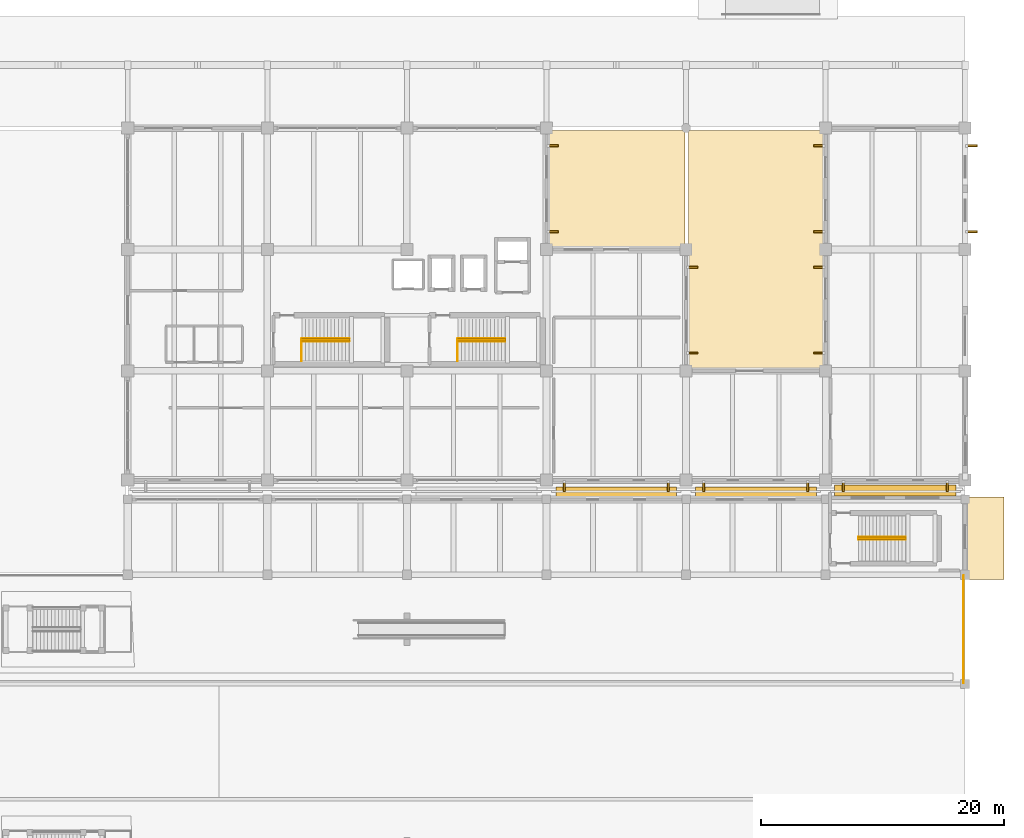
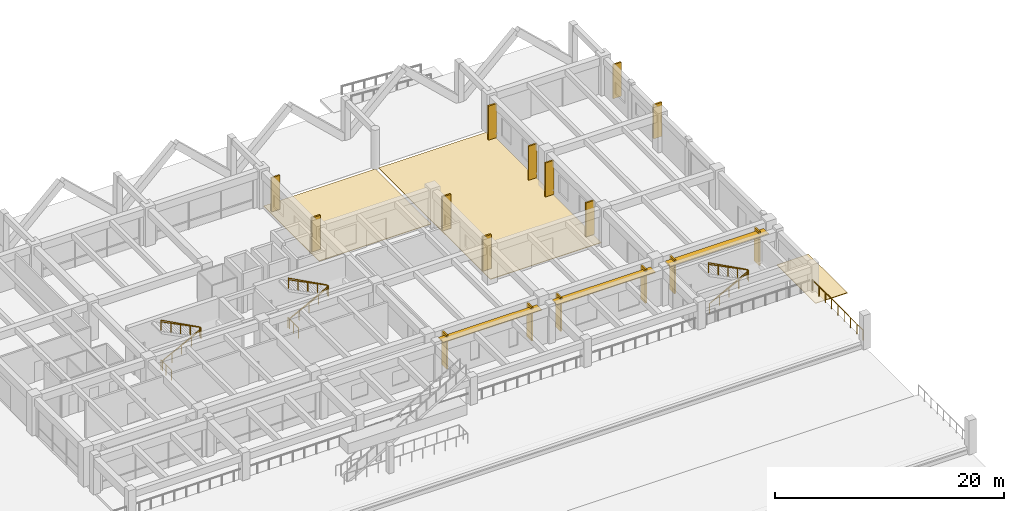
# One storey, part 107 of 109: 19 shading devices, 12 railings, 3 coverings.
"""IFC4 building model written with IfcOpenShell, lengths in metres."""

from ifc_helpers import new_model, si_unit, direction, frame, origin, origin_2d, place, context, subcontext, project, spatial, polyline, rectangle, circle, outline, extrude, material, layer, layer_set, type_object, element, save


model = new_model("IFC4")

# Units and contexts
model_context = context("Model", 3, precision=1e-05, world=origin(), true_north=direction((0.0, 1.0)))
body_context = subcontext(model_context, "Body", "Model", "MODEL_VIEW")
ifc_project = project(units=[si_unit("LENGTHUNIT", "METRE"), si_unit("AREAUNIT", "SQUARE_METRE"), si_unit("VOLUMEUNIT", "CUBIC_METRE"), si_unit("PLANEANGLEUNIT", "RADIAN"), si_unit("MASSUNIT", "GRAM", prefix="KILO")], contexts=[model_context])

# Site, building, storey
site_placement = place(None, origin())
site = spatial("IfcSite", under=ifc_project, at=site_placement, CompositionType="ELEMENT")
building_placement = place(site_placement, origin())
building = spatial("IfcBuilding", under=site, at=building_placement, Name="Ologun Quay Terminus", CompositionType="ELEMENT")
storey_placement = place(building_placement, origin())
storey = spatial("IfcBuildingStorey", under=building, at=storey_placement, Name="L00", CompositionType="ELEMENT", Elevation=0.0)

# Shading devices
ifc_material_1 = material(Name="Aluminium 6063-T6", Category="aluminium")
ifc_layer_1 = layer(ifc_material_1, 0.080078125)
ifc_layer_set_1 = layer_set([ifc_layer_1], Name="Aluminium 6063-T6")
shading_device_type_1 = type_object("IfcShadingDeviceType", Name="Horizontal Extruded Aluminium Sun Louvre 900", PredefinedType="JALOUSIE", material=ifc_layer_set_1)
for number, where, z_axis, x_axis, name in (
    (1, (155.25, 84.780029296875, 3.4599609375), (0.0, 0.0, 1.0), (1.0, 0.0, 0.0), "SD-01 Sun-Hood WEW-NGW-L00-14"),
    (2, (166.75, 84.780029296875, 3.4599609375), (0.0, 0.0, 1.0), (1.0, 0.0, 0.0), "SD-01 Sun-Hood WEW-NGW-L00-15"),
):
    element("IfcShadingDevice", number, at=place(storey_placement, frame(where, z_axis=z_axis, x_axis=x_axis)), inside=storey, type_object=shading_device_type_1, Name=name, PredefinedType="JALOUSIE", context=body_context, shape_type="SweptSolid", body=[
        extrude(rectangle(XDim=9.9599609375, YDim=0.89990234375, at=origin_2d()), origin(), (0.0, 0.0, 1.0), 0.080078125),
    ])
shading_device_placement = place(storey_placement, frame((178.25, 84.929931640625, 3.4599609375), z_axis=(0.0, 0.0, 1.0), x_axis=(1.0, 0.0, 0.0)))
element("IfcShadingDevice", 3, at=shading_device_placement, inside=storey, type_object=shading_device_type_1, Name="SD-01 Sun-Hood WEW-NGW-L00-16", PredefinedType="JALOUSIE", context=body_context, shape_type="SweptSolid", body=[
    extrude(rectangle(XDim=10.0, YDim=0.89990234375, at=origin_2d()), origin(), (0.0, 0.0, 1.0), 0.080078125),
])
ifc_material_2 = material(Name="Concrete C40/50", Category="concrete")
ifc_layer_2 = layer(ifc_material_2, 0.159912109375)
ifc_layer_set_2 = layer_set([ifc_layer_2], Name="Concrete C40/50")
shading_device_type_2 = type_object("IfcShadingDeviceType", Name="Operations Angled Precast Solar Fin 850x160", PredefinedType="USERDEFINED", material=ifc_layer_set_2)
for number, where, z_axis, x_axis, name in (
    (4, (150.969970703125, 85.2451171875, 0.150146484375), (0.0, 0.0, 1.0), (1.0, 0.0, 0.0), "SD-05 Vertical Solar Fin WEW-EW-L00-4-1"),
    (5, (159.530029296875, 85.2451171875, 0.150146484375), (0.0, 0.0, 1.0), (1.0, 0.0, 0.0), "SD-05 Vertical Solar Fin WEW-EW-L00-4-2"),
    (6, (162.469970703125, 85.2451171875, 0.150146484375), (0.0, 0.0, 1.0), (1.0, 0.0, 0.0), "SD-05 Vertical Solar Fin WEW-EW-L00-5-1"),
    (7, (171.030029296875, 85.2451171875, 0.150146484375), (0.0, 0.0, 1.0), (1.0, 0.0, 0.0), "SD-05 Vertical Solar Fin WEW-EW-L00-5-2"),
    (8, (173.969970703125, 85.2451171875, 0.150146484375), (0.0, 0.0, 1.0), (1.0, 0.0, 0.0), "SD-05 Vertical Solar Fin WEW-EW-L00-6-1"),
    (9, (182.530029296875, 85.2451171875, 0.150146484375), (0.0, 0.0, 1.0), (1.0, 0.0, 0.0), "SD-05 Vertical Solar Fin WEW-EW-L00-6-2"),
):
    element("IfcShadingDevice", number, at=place(storey_placement, frame(where, z_axis=z_axis, x_axis=x_axis)), inside=storey, type_object=shading_device_type_2, Name=name, ObjectType="SOLAR FIN", PredefinedType="USERDEFINED", context=body_context, shape_type="SweptSolid", body=[
        extrude(rectangle(XDim=0.159912109375, YDim=0.85009765625, at=origin_2d()), origin(), (0.0, 0.0, 1.0), 3.6298828125),
    ])
for number, where, z_axis, x_axis, name in (
    (10, (184.554931640625, 106.27001953125, 0.150146484375), (0.0, 0.0, 1.0), (1.0, 0.0, 0.0), "SD-05 Vertical Solar Fin WEW-EW-L00-9-1"),
    (11, (184.554931640625, 113.330078125, 0.150146484375), (0.0, 0.0, 1.0), (1.0, 0.0, 0.0), "SD-05 Vertical Solar Fin WEW-EW-L00-9-2"),
    (12, (171.945068359375, 96.27001953125, 0.150146484375), (0.0, 0.0, 1.0), (1.0, 0.0, 0.0), "SD-05 Vertical Solar Fin WEW-EW-L00-11-1"),
    (13, (171.945068359375, 103.330078125, 0.150146484375), (0.0, 0.0, 1.0), (1.0, 0.0, 0.0), "SD-05 Vertical Solar Fin WEW-EW-L00-11-2"),
    (14, (171.945068359375, 106.27001953125, 0.150146484375), (0.0, 0.0, 1.0), (1.0, 0.0, 0.0), "SD-05 Vertical Solar Fin WEW-EW-L00-12-1"),
    (15, (171.945068359375, 113.330078125, 0.150146484375), (0.0, 0.0, 1.0), (1.0, 0.0, 0.0), "SD-05 Vertical Solar Fin WEW-EW-L00-12-2"),
    (16, (161.554931640625, 96.27001953125, 0.150146484375), (0.0, 0.0, 1.0), (1.0, 0.0, 0.0), "SD-05 Vertical Solar Fin WEW-EW-L00-14-1"),
    (17, (161.554931640625, 103.330078125, 0.150146484375), (0.0, 0.0, 1.0), (1.0, 0.0, 0.0), "SD-05 Vertical Solar Fin WEW-EW-L00-14-2"),
    (18, (150.054931640625, 106.27001953125, 0.150146484375), (0.0, 0.0, 1.0), (1.0, 0.0, 0.0), "SD-05 Vertical Solar Fin WEW-EW-L00-16-1"),
    (19, (150.054931640625, 113.330078125, 0.150146484375), (0.0, 0.0, 1.0), (1.0, 0.0, 0.0), "SD-05 Vertical Solar Fin WEW-EW-L00-16-2"),
):
    element("IfcShadingDevice", number, at=place(storey_placement, frame(where, z_axis=z_axis, x_axis=x_axis)), inside=storey, type_object=shading_device_type_2, Name=name, ObjectType="SOLAR FIN", PredefinedType="USERDEFINED", context=body_context, shape_type="SweptSolid", body=[
        extrude(rectangle(XDim=0.85009765625, YDim=0.159912109375, at=origin_2d()), origin(), (0.0, 0.0, 1.0), 3.6298828125),
    ])

# Coverings
ifc_material_3 = material(Name="Granite Stone", Category="masonry")
ifc_layer_3 = layer(ifc_material_3, 0.06005859375)
ifc_layer_set_3 = layer_set([ifc_layer_3], Name="Granite Stone")
covering_type = type_object("IfcCoveringType", Name="Quay & Forecourt Bush-Hammered Granite Paving 60", PredefinedType="USERDEFINED", material=ifc_layer_set_3)
covering_1_placement = place(storey_placement, frame((0.0, 0.0, -0.06005859375)))
element("IfcCovering", 20, at=covering_1_placement, inside=storey, type_object=covering_type, Name="CV-PVG Exterior Granite Paving QUAY-NE", ObjectType="PAVING", PredefinedType="USERDEFINED", context=body_context, shape_type="SweptSolid", body=[
    extrude(outline(polyline([(161.199951171875, 95.0), (172.39990234375, 95.0), (172.39990234375, 114.60009765625), (161.199951171875, 114.60009765625), (161.199951171875, 95.0)])), origin(), (0.0, 0.0, 1.0), 0.06005859375),
])
covering_2_placement = place(storey_placement, frame((0.0, 0.0, -0.06005859375)))
element("IfcCovering", 21, at=covering_2_placement, inside=storey, type_object=covering_type, Name="CV-PVG Exterior Granite Paving QUAY-NELOG", ObjectType="PAVING", PredefinedType="USERDEFINED", context=body_context, shape_type="SweptSolid", body=[
    extrude(outline(polyline([(149.60009765625, 104.89990234375), (160.89990234375, 104.89990234375), (160.89990234375, 114.60009765625), (149.60009765625, 114.60009765625), (149.60009765625, 104.89990234375)])), origin(), (0.0, 0.0, 1.0), 0.06005859375),
])
covering_3_placement = place(storey_placement, frame((0.0, 0.0, -0.06005859375)))
element("IfcCovering", 22, at=covering_3_placement, inside=storey, type_object=covering_type, Name="CV-PVG Exterior Granite Paving EXIT-NGE", ObjectType="PAVING", PredefinedType="USERDEFINED", context=body_context, shape_type="SweptSolid", body=[
    extrude(outline(polyline([(184.0, 77.60009765625), (187.199951171875, 77.60009765625), (187.199951171875, 84.39990234375), (184.0, 84.39990234375), (184.0, 77.60009765625)])), origin(), (0.0, 0.0, 1.0), 0.06005859375),
])

# Railings
ifc_material_4 = material(Name="Steel S355", Category="steel")
railing_type_1 = type_object("IfcRailingType", Name="Stair & Landing Steel Guardrail 1100", PredefinedType="GUARDRAIL", material=ifc_material_4)
railing_1_placement = place(storey_placement, frame((129.31005859375, 97.43994140625, 0.0)))
element("IfcRailing", 23, at=railing_1_placement, inside=storey, type_object=railing_type_1, Name="GR-ST Stair Floor Edge Guard ST-E1 L00", PredefinedType="GUARDRAIL", context=body_context, shape_type="SweptSolid", body=[
    extrude(circle(Radius=0.02392578125, at=origin_2d()), frame((0.0, 0.0, 1.076171875), z_axis=(0.0, -1.0, 0.0), x_axis=(1.0, 0.0, 0.0)), (0.0, 0.0, 1.0), 1.829833984375),
    extrude(circle(Radius=0.02099609375, at=origin_2d()), origin(), (0.0, 0.0, 1.0), 1.052001953125),
    extrude(circle(Radius=0.02099609375, at=origin_2d()), frame((0.0, -0.9150390625, 0.0)), (0.0, 0.0, 1.0), 1.052001953125),
    extrude(circle(Radius=0.02099609375, at=origin_2d()), frame((0.0, -1.829833984375, 0.0)), (0.0, 0.0, 1.0), 1.052001953125),
])
railing_2_placement = place(storey_placement, frame((129.35009765625, 97.25, 0.0)))
element("IfcRailing", 24, at=railing_2_placement, inside=storey, type_object=railing_type_1, Name="GR-ST Stair Inner Well Guard ST-E1 L00", PredefinedType="GUARDRAIL", context=body_context, shape_type="SweptSolid", body=[
    extrude(circle(Radius=0.02392578125, at=origin_2d()), frame((0.0, 0.0, 1.076171875), z_axis=(0.881967403671, 0.0, 0.471310406062), x_axis=(0.0, 1.0, 0.0)), (0.0, 0.0, 1.0), 4.455810546875),
    extrude(circle(Radius=0.02392578125, at=origin_2d()), frame((3.929931640625, 0.0, 3.17626953125), z_axis=(0.0, 1.0, 0.0), x_axis=(-1.0, 0.0, 0.0)), (0.0, 0.0, 1.0), 0.199951171875),
    extrude(circle(Radius=0.02392578125, at=origin_2d()), frame((3.929931640625, 0.199951171875, 3.17626953125), z_axis=(-0.881990178689, 0.0, 0.471267784488), x_axis=(0.0, -1.0, 0.0)), (0.0, 0.0, 1.0), 4.455810546875),
    extrude(circle(Radius=0.02099609375, at=origin_2d()), origin(), (0.0, 0.0, 1.0), 1.052001953125),
    extrude(circle(Radius=0.02099609375, at=origin_2d()), frame((0.982421875, 0.0, 0.52490234375)), (0.0, 0.0, 1.0), 1.052001953125),
    extrude(circle(Radius=0.02099609375, at=origin_2d()), frame((1.96484375, 0.0, 1.050048828125)), (0.0, 0.0, 1.0), 1.052001953125),
    extrude(circle(Radius=0.02099609375, at=origin_2d()), frame((2.947509765625, 0.0, 1.5751953125)), (0.0, 0.0, 1.0), 1.052001953125),
    extrude(circle(Radius=0.02099609375, at=origin_2d()), frame((3.929931640625, 0.0, 2.10009765625)), (0.0, 0.0, 1.0), 1.052001953125),
    extrude(circle(Radius=0.02099609375, at=origin_2d()), frame((3.929931640625, 0.199951171875, 2.10009765625)), (0.0, 0.0, 1.0), 1.052001953125),
    extrude(circle(Radius=0.02099609375, at=origin_2d()), frame((2.947509765625, 0.199951171875, 2.625)), (0.0, 0.0, 1.0), 1.052001953125),
    extrude(circle(Radius=0.02099609375, at=origin_2d()), frame((1.96484375, 0.199951171875, 3.14990234375)), (0.0, 0.0, 1.0), 1.052001953125),
    extrude(circle(Radius=0.02099609375, at=origin_2d()), frame((0.982421875, 0.199951171875, 3.675048828125)), (0.0, 0.0, 1.0), 1.052001953125),
    extrude(circle(Radius=0.02099609375, at=origin_2d()), frame((0.0, 0.199951171875, 4.199951171875)), (0.0, 0.0, 1.0), 1.052001953125),
])
railing_3_placement = place(storey_placement, frame((142.159912109375, 97.43994140625, 0.0)))
element("IfcRailing", 25, at=railing_3_placement, inside=storey, type_object=railing_type_1, Name="GR-ST Stair Floor Edge Guard ST-E2 L00", PredefinedType="GUARDRAIL", context=body_context, shape_type="SweptSolid", body=[
    extrude(circle(Radius=0.02392578125, at=origin_2d()), frame((0.0, 0.0, 1.076171875), z_axis=(0.0, -1.0, 0.0), x_axis=(1.0, 0.0, 0.0)), (0.0, 0.0, 1.0), 1.829833984375),
    extrude(circle(Radius=0.02099609375, at=origin_2d()), origin(), (0.0, 0.0, 1.0), 1.052001953125),
    extrude(circle(Radius=0.02099609375, at=origin_2d()), frame((0.0, -0.9150390625, 0.0)), (0.0, 0.0, 1.0), 1.052001953125),
    extrude(circle(Radius=0.02099609375, at=origin_2d()), frame((0.0, -1.829833984375, 0.0)), (0.0, 0.0, 1.0), 1.052001953125),
])
railing_4_placement = place(storey_placement, frame((142.199951171875, 97.25, 0.0)))
element("IfcRailing", 26, at=railing_4_placement, inside=storey, type_object=railing_type_1, Name="GR-ST Stair Inner Well Guard ST-E2 L00", PredefinedType="GUARDRAIL", context=body_context, shape_type="SweptSolid", body=[
    extrude(circle(Radius=0.02392578125, at=origin_2d()), frame((0.0, 0.0, 1.076171875), z_axis=(0.881967403671, 0.0, 0.471310406062), x_axis=(0.0, 1.0, 0.0)), (0.0, 0.0, 1.0), 4.455810546875),
    extrude(circle(Radius=0.02392578125, at=origin_2d()), frame((3.929931640625, 0.0, 3.17626953125), z_axis=(0.0, 1.0, 0.0), x_axis=(-1.0, 0.0, 0.0)), (0.0, 0.0, 1.0), 0.199951171875),
    extrude(circle(Radius=0.02392578125, at=origin_2d()), frame((3.929931640625, 0.199951171875, 3.17626953125), z_axis=(-0.881990178689, 0.0, 0.471267784488), x_axis=(0.0, -1.0, 0.0)), (0.0, 0.0, 1.0), 4.455810546875),
    extrude(circle(Radius=0.02099609375, at=origin_2d()), origin(), (0.0, 0.0, 1.0), 1.052001953125),
    extrude(circle(Radius=0.02099609375, at=origin_2d()), frame((0.982421875, 0.0, 0.52490234375)), (0.0, 0.0, 1.0), 1.052001953125),
    extrude(circle(Radius=0.02099609375, at=origin_2d()), frame((1.96484375, 0.0, 1.050048828125)), (0.0, 0.0, 1.0), 1.052001953125),
    extrude(circle(Radius=0.02099609375, at=origin_2d()), frame((2.947509765625, 0.0, 1.5751953125)), (0.0, 0.0, 1.0), 1.052001953125),
    extrude(circle(Radius=0.02099609375, at=origin_2d()), frame((3.929931640625, 0.0, 2.10009765625)), (0.0, 0.0, 1.0), 1.052001953125),
    extrude(circle(Radius=0.02099609375, at=origin_2d()), frame((3.929931640625, 0.199951171875, 2.10009765625)), (0.0, 0.0, 1.0), 1.052001953125),
    extrude(circle(Radius=0.02099609375, at=origin_2d()), frame((2.947509765625, 0.199951171875, 2.625)), (0.0, 0.0, 1.0), 1.052001953125),
    extrude(circle(Radius=0.02099609375, at=origin_2d()), frame((1.96484375, 0.199951171875, 3.14990234375)), (0.0, 0.0, 1.0), 1.052001953125),
    extrude(circle(Radius=0.02099609375, at=origin_2d()), frame((0.982421875, 0.199951171875, 3.675048828125)), (0.0, 0.0, 1.0), 1.052001953125),
    extrude(circle(Radius=0.02099609375, at=origin_2d()), frame((0.0, 0.199951171875, 4.199951171875)), (0.0, 0.0, 1.0), 1.052001953125),
])
railing_5_placement = place(storey_placement, frame((175.199951171875, 80.89990234375, 0.0)))
element("IfcRailing", 27, at=railing_5_placement, inside=storey, type_object=railing_type_1, Name="GR-ST Stair Inner Well Guard ST-NG2 L00", PredefinedType="GUARDRAIL", context=body_context, shape_type="SweptSolid", body=[
    extrude(circle(Radius=0.02392578125, at=origin_2d()), frame((0.0, 0.0, 1.076171875), z_axis=(0.881967403671, 0.0, 0.471310406062), x_axis=(0.0, 1.0, 0.0)), (0.0, 0.0, 1.0), 4.455810546875),
    extrude(circle(Radius=0.02392578125, at=origin_2d()), frame((3.929931640625, 0.0, 3.17626953125), z_axis=(0.0, 1.0, 0.0), x_axis=(-1.0, 0.0, 0.0)), (0.0, 0.0, 1.0), 0.2001953125),
    extrude(circle(Radius=0.02392578125, at=origin_2d()), frame((3.929931640625, 0.2001953125, 3.17626953125), z_axis=(-0.881990178689, 0.0, 0.471267784488), x_axis=(0.0, -1.0, 0.0)), (0.0, 0.0, 1.0), 4.455810546875),
    extrude(circle(Radius=0.02099609375, at=origin_2d()), origin(), (0.0, 0.0, 1.0), 1.052001953125),
    extrude(circle(Radius=0.02099609375, at=origin_2d()), frame((0.982421875, 0.0, 0.52490234375)), (0.0, 0.0, 1.0), 1.052001953125),
    extrude(circle(Radius=0.02099609375, at=origin_2d()), frame((1.96484375, 0.0, 1.050048828125)), (0.0, 0.0, 1.0), 1.052001953125),
    extrude(circle(Radius=0.02099609375, at=origin_2d()), frame((2.947509765625, 0.0, 1.5751953125)), (0.0, 0.0, 1.0), 1.052001953125),
    extrude(circle(Radius=0.02099609375, at=origin_2d()), frame((3.929931640625, 0.0, 2.10009765625)), (0.0, 0.0, 1.0), 1.052001953125),
    extrude(circle(Radius=0.02099609375, at=origin_2d()), frame((3.929931640625, 0.2001953125, 2.10009765625)), (0.0, 0.0, 1.0), 1.052001953125),
    extrude(circle(Radius=0.02099609375, at=origin_2d()), frame((2.947509765625, 0.2001953125, 2.625)), (0.0, 0.0, 1.0), 1.052001953125),
    extrude(circle(Radius=0.02099609375, at=origin_2d()), frame((1.96484375, 0.2001953125, 3.14990234375)), (0.0, 0.0, 1.0), 1.052001953125),
    extrude(circle(Radius=0.02099609375, at=origin_2d()), frame((0.982421875, 0.2001953125, 3.675048828125)), (0.0, 0.0, 1.0), 1.052001953125),
    extrude(circle(Radius=0.02099609375, at=origin_2d()), frame((0.0, 0.2001953125, 4.199951171875)), (0.0, 0.0, 1.0), 1.052001953125),
])
railing_6_placement = place(storey_placement, frame((183.8798828125, 69.080078125, 1.25)))
element("IfcRailing", 28, at=railing_6_placement, inside=storey, type_object=railing_type_1, Name="GR-ST Platform 4 E End Guard L00", PredefinedType="GUARDRAIL", context=body_context, shape_type="SweptSolid", body=[
    extrude(circle(Radius=0.02392578125, at=origin_2d()), frame((0.0, 0.0, 1.076171875), z_axis=(0.0, 1.0, 0.0), x_axis=(-1.0, 0.0, 0.0)), (0.0, 0.0, 1.0), 8.83984375),
    extrude(circle(Radius=0.02099609375, at=origin_2d()), origin(), (0.0, 0.0, 1.0), 1.052001953125),
    extrude(circle(Radius=0.02099609375, at=origin_2d()), frame((0.0, 1.10498046875, 0.0)), (0.0, 0.0, 1.0), 1.052001953125),
    extrude(circle(Radius=0.02099609375, at=origin_2d()), frame((0.0, 2.2099609375, 0.0)), (0.0, 0.0, 1.0), 1.052001953125),
    extrude(circle(Radius=0.02099609375, at=origin_2d()), frame((0.0, 3.31494140625, 0.0)), (0.0, 0.0, 1.0), 1.052001953125),
    extrude(circle(Radius=0.02099609375, at=origin_2d()), frame((0.0, 4.419921875, 0.0)), (0.0, 0.0, 1.0), 1.052001953125),
    extrude(circle(Radius=0.02099609375, at=origin_2d()), frame((0.0, 5.52490234375, 0.0)), (0.0, 0.0, 1.0), 1.052001953125),
    extrude(circle(Radius=0.02099609375, at=origin_2d()), frame((0.0, 6.6298828125, 0.0)), (0.0, 0.0, 1.0), 1.052001953125),
    extrude(circle(Radius=0.02099609375, at=origin_2d()), frame((0.0, 7.73486328125, 0.0)), (0.0, 0.0, 1.0), 1.052001953125),
    extrude(circle(Radius=0.02099609375, at=origin_2d()), frame((0.0, 8.83984375, 0.0)), (0.0, 0.0, 1.0), 1.052001953125),
])
ifc_material_5 = material(Name="Steel S355", Category="steel")
railing_type_2 = type_object("IfcRailingType", Name="Stair Stainless Tubular Handrail 920", PredefinedType="HANDRAIL", material=ifc_material_5)
railing_7_placement = place(storey_placement, frame((129.35009765625, 97.239990234375, 0.14990234375)))
element("IfcRailing", 29, at=railing_7_placement, inside=storey, type_object=railing_type_2, Name="HR-ST Handrail ST-E1-F1 L00", PredefinedType="HANDRAIL", context=body_context, shape_type="SweptSolid", body=[
    extrude(circle(Radius=0.02392578125, at=origin_2d()), frame((0.0, 0.0, 0.89599609375), z_axis=(0.894404793364, 0.0, 0.447258387967), x_axis=(0.0, 1.0, 0.0)), (0.0, 0.0, 1.0), 4.3603515625),
    extrude(circle(Radius=0.02099609375, at=origin_2d()), origin(), (0.0, 0.0, 1.0), 0.871826171875),
    extrude(circle(Radius=0.02099609375, at=origin_2d()), frame((0.97509765625, 0.0, 0.487548828125)), (0.0, 0.0, 1.0), 0.871826171875),
    extrude(circle(Radius=0.02099609375, at=origin_2d()), frame((1.949951171875, 0.0, 0.97509765625)), (0.0, 0.0, 1.0), 0.871826171875),
    extrude(circle(Radius=0.02099609375, at=origin_2d()), frame((2.9248046875, 0.0, 1.462646484375)), (0.0, 0.0, 1.0), 0.871826171875),
    extrude(circle(Radius=0.02099609375, at=origin_2d()), frame((3.89990234375, 0.0, 1.9501953125)), (0.0, 0.0, 1.0), 0.871826171875),
])
railing_8_placement = place(storey_placement, frame((133.25, 97.4599609375, 2.25)))
element("IfcRailing", 30, at=railing_8_placement, inside=storey, type_object=railing_type_2, Name="HR-ST Handrail ST-E1-F2 L00", PredefinedType="HANDRAIL", context=body_context, shape_type="SweptSolid", body=[
    extrude(circle(Radius=0.02392578125, at=origin_2d()), frame((0.0, 0.0, 0.89599609375), z_axis=(-0.894427191, 0.0, 0.4472135955), x_axis=(0.0, -1.0, 0.0)), (0.0, 0.0, 1.0), 4.360107421875),
    extrude(circle(Radius=0.02099609375, at=origin_2d()), origin(), (0.0, 0.0, 1.0), 0.871826171875),
    extrude(circle(Radius=0.02099609375, at=origin_2d()), frame((-0.97509765625, 0.0, 0.487548828125)), (0.0, 0.0, 1.0), 0.871826171875),
    extrude(circle(Radius=0.02099609375, at=origin_2d()), frame((-1.949951171875, 0.0, 0.97509765625)), (0.0, 0.0, 1.0), 0.871826171875),
    extrude(circle(Radius=0.02099609375, at=origin_2d()), frame((-2.9248046875, 0.0, 1.46240234375)), (0.0, 0.0, 1.0), 0.871826171875),
    extrude(circle(Radius=0.02099609375, at=origin_2d()), frame((-3.89990234375, 0.0, 1.949951171875)), (0.0, 0.0, 1.0), 0.871826171875),
])
railing_9_placement = place(storey_placement, frame((142.199951171875, 97.239990234375, 0.14990234375)))
element("IfcRailing", 31, at=railing_9_placement, inside=storey, type_object=railing_type_2, Name="HR-ST Handrail ST-E2-F1 L00", PredefinedType="HANDRAIL", context=body_context, shape_type="SweptSolid", body=[
    extrude(circle(Radius=0.02392578125, at=origin_2d()), frame((0.0, 0.0, 0.89599609375), z_axis=(0.894415993023, 0.0, 0.447235990752), x_axis=(0.0, 1.0, 0.0)), (0.0, 0.0, 1.0), 4.360595703125),
    extrude(circle(Radius=0.02099609375, at=origin_2d()), origin(), (0.0, 0.0, 1.0), 0.871826171875),
    extrude(circle(Radius=0.02099609375, at=origin_2d()), frame((0.97509765625, 0.0, 0.487548828125)), (0.0, 0.0, 1.0), 0.871826171875),
    extrude(circle(Radius=0.02099609375, at=origin_2d()), frame((1.9501953125, 0.0, 0.97509765625)), (0.0, 0.0, 1.0), 0.871826171875),
    extrude(circle(Radius=0.02099609375, at=origin_2d()), frame((2.925048828125, 0.0, 1.462646484375)), (0.0, 0.0, 1.0), 0.871826171875),
    extrude(circle(Radius=0.02099609375, at=origin_2d()), frame((3.900146484375, 0.0, 1.9501953125)), (0.0, 0.0, 1.0), 0.871826171875),
])
railing_10_placement = place(storey_placement, frame((146.10009765625, 97.4599609375, 2.25)))
element("IfcRailing", 32, at=railing_10_placement, inside=storey, type_object=railing_type_2, Name="HR-ST Handrail ST-E2-F2 L00", PredefinedType="HANDRAIL", context=body_context, shape_type="SweptSolid", body=[
    extrude(circle(Radius=0.02392578125, at=origin_2d()), frame((0.0, 0.0, 0.89599609375), z_axis=(-0.894438388696, 0.0, 0.447191199406), x_axis=(0.0, -1.0, 0.0)), (0.0, 0.0, 1.0), 4.3603515625),
    extrude(circle(Radius=0.02099609375, at=origin_2d()), origin(), (0.0, 0.0, 1.0), 0.871826171875),
    extrude(circle(Radius=0.02099609375, at=origin_2d()), frame((-0.97509765625, 0.0, 0.487548828125)), (0.0, 0.0, 1.0), 0.871826171875),
    extrude(circle(Radius=0.02099609375, at=origin_2d()), frame((-1.9501953125, 0.0, 0.97509765625)), (0.0, 0.0, 1.0), 0.871826171875),
    extrude(circle(Radius=0.02099609375, at=origin_2d()), frame((-2.925048828125, 0.0, 1.46240234375)), (0.0, 0.0, 1.0), 0.871826171875),
    extrude(circle(Radius=0.02099609375, at=origin_2d()), frame((-3.900146484375, 0.0, 1.949951171875)), (0.0, 0.0, 1.0), 0.871826171875),
])
railing_11_placement = place(storey_placement, frame((175.199951171875, 80.889892578125, 0.14990234375)))
element("IfcRailing", 33, at=railing_11_placement, inside=storey, type_object=railing_type_2, Name="HR-ST Handrail ST-NG2-F1 L00", PredefinedType="HANDRAIL", context=body_context, shape_type="SweptSolid", body=[
    extrude(circle(Radius=0.02392578125, at=origin_2d()), frame((0.0, 0.0, 0.89599609375), z_axis=(0.894415993023, 0.0, 0.447235990752), x_axis=(0.0, 1.0, 0.0)), (0.0, 0.0, 1.0), 4.360595703125),
    extrude(circle(Radius=0.02099609375, at=origin_2d()), origin(), (0.0, 0.0, 1.0), 0.871826171875),
    extrude(circle(Radius=0.02099609375, at=origin_2d()), frame((0.97509765625, 0.0, 0.487548828125)), (0.0, 0.0, 1.0), 0.871826171875),
    extrude(circle(Radius=0.02099609375, at=origin_2d()), frame((1.9501953125, 0.0, 0.97509765625)), (0.0, 0.0, 1.0), 0.871826171875),
    extrude(circle(Radius=0.02099609375, at=origin_2d()), frame((2.925048828125, 0.0, 1.462646484375)), (0.0, 0.0, 1.0), 0.871826171875),
    extrude(circle(Radius=0.02099609375, at=origin_2d()), frame((3.900146484375, 0.0, 1.9501953125)), (0.0, 0.0, 1.0), 0.871826171875),
])
railing_12_placement = place(storey_placement, frame((179.10009765625, 81.110107421875, 2.25)))
element("IfcRailing", 34, at=railing_12_placement, inside=storey, type_object=railing_type_2, Name="HR-ST Handrail ST-NG2-F2 L00", PredefinedType="HANDRAIL", context=body_context, shape_type="SweptSolid", body=[
    extrude(circle(Radius=0.02392578125, at=origin_2d()), frame((0.0, 0.0, 0.89599609375), z_axis=(-0.894438388696, 0.0, 0.447191199406), x_axis=(0.0, -1.0, 0.0)), (0.0, 0.0, 1.0), 4.3603515625),
    extrude(circle(Radius=0.02099609375, at=origin_2d()), origin(), (0.0, 0.0, 1.0), 0.871826171875),
    extrude(circle(Radius=0.02099609375, at=origin_2d()), frame((-0.97509765625, 0.0, 0.487548828125)), (0.0, 0.0, 1.0), 0.871826171875),
    extrude(circle(Radius=0.02099609375, at=origin_2d()), frame((-1.9501953125, 0.0, 0.97509765625)), (0.0, 0.0, 1.0), 0.871826171875),
    extrude(circle(Radius=0.02099609375, at=origin_2d()), frame((-2.925048828125, 0.0, 1.46240234375)), (0.0, 0.0, 1.0), 0.871826171875),
    extrude(circle(Radius=0.02099609375, at=origin_2d()), frame((-3.900146484375, 0.0, 1.949951171875)), (0.0, 0.0, 1.0), 0.871826171875),
])

save(model, "model.ifc")
